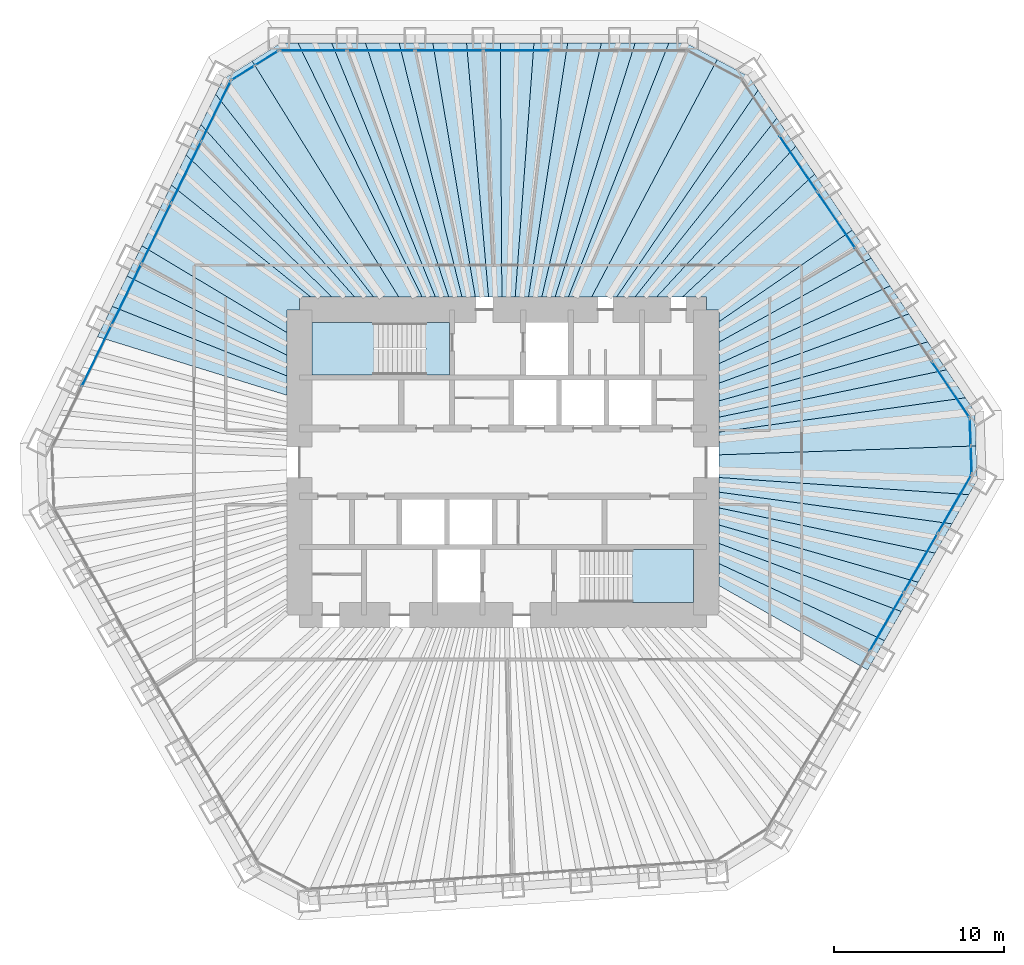
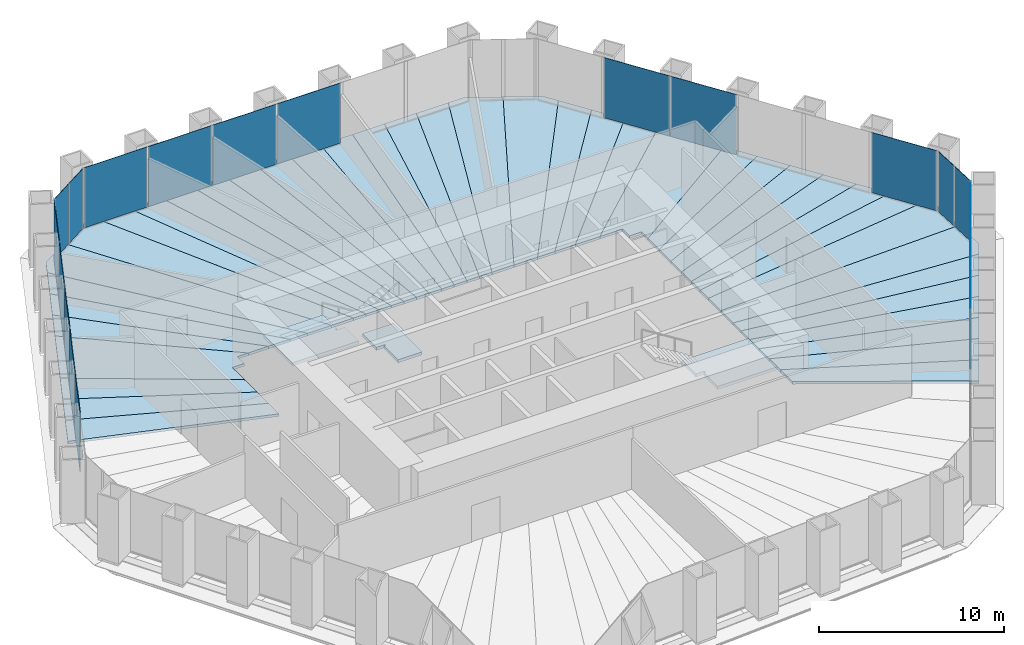
# One storey, part 9 of 13: 43 slabs, 19 plates, 8 elements without a shape of their own.
"""IFC4 building model written with IfcOpenShell, lengths in metres."""

from ifc_helpers import new_model, si_unit, direction, frame, origin, origin_2d, place, context, subcontext, project, spatial, polyline, rectangle, outline, extrude, material, layer, layer_set, type_object, element, aggregate, save


model = new_model("IFC4")

# Units and contexts
model_context = context("Model", 3, precision=1e-05, world=origin(), true_north=direction((0.0, 1.0)))
body_context = subcontext(model_context, "Body", "Model", "MODEL_VIEW")
ifc_project = project(units=[si_unit("LENGTHUNIT", "METRE"), si_unit("AREAUNIT", "SQUARE_METRE"), si_unit("VOLUMEUNIT", "CUBIC_METRE"), si_unit("PLANEANGLEUNIT", "RADIAN"), si_unit("MASSUNIT", "GRAM", prefix="KILO")], contexts=[model_context])

# Site, building, storey
site_placement = place(None, origin())
site = spatial("IfcSite", under=ifc_project, at=site_placement, CompositionType="ELEMENT")
building_placement = place(site_placement, origin())
building = spatial("IfcBuilding", under=site, at=building_placement, Name="Qingtian Harvest Tower", CompositionType="ELEMENT")
storey_placement = place(building_placement, frame((0.0, 0.0, 140.800048828125)))
storey = spatial("IfcBuildingStorey", under=building, at=storey_placement, Name="L29", CompositionType="ELEMENT", Elevation=140.800048828125)

# Slabs
ifc_material_1 = material(Name="Concrete fc' 35 MPa", Category="concrete")
ifc_layer_1 = layer(ifc_material_1, 0.169921875)
ifc_layer_set_1 = layer_set([ifc_layer_1], Name="Composite floor slab FS17 170")
slab_type_1 = type_object("IfcSlabType", Name="Composite floor slab FS17 170", PredefinedType="FLOOR", material=ifc_layer_set_1)
slab_1_placement = place(storey_placement, frame((0.0, 0.0, -0.170166015625)))
element("IfcSlab", 1, at=slab_1_placement, inside=storey, type_object=slab_type_1, Name="Floor slab L29 panel D33", PredefinedType="FLOOR", context=body_context, shape_type="SweptSolid", body=[
    extrude(outline(polyline([(12.75, -5.97021484375), (22.51220703125, -10.517578125), (21.517333984375, -12.24072265625), (12.75, -7.268798828125), (12.75, -5.97021484375)])), origin(), (0.0, 0.0, 1.0), 0.170166015625),
])
slab_2_placement = place(storey_placement, frame((0.0, 0.0, -0.170166015625)))
element("IfcSlab", 2, at=slab_2_placement, inside=storey, type_object=slab_type_1, Name="Floor slab L29 panel D34", PredefinedType="FLOOR", context=body_context, shape_type="SweptSolid", body=[
    extrude(outline(polyline([(12.75, -4.78173828125), (23.50732421875, -8.794189453125), (22.51220703125, -10.517578125), (12.75, -5.97021484375), (12.75, -4.78173828125)])), origin(), (0.0, 0.0, 1.0), 0.170166015625),
])
slab_3_placement = place(storey_placement, frame((0.0, 0.0, -0.170166015625)))
element("IfcSlab", 3, at=slab_3_placement, inside=storey, type_object=slab_type_1, Name="Floor slab L29 panel D35", PredefinedType="FLOOR", context=body_context, shape_type="SweptSolid", body=[
    extrude(outline(polyline([(12.75, -3.68994140625), (24.502197265625, -7.071044921875), (23.50732421875, -8.794189453125), (12.75, -4.78173828125), (12.75, -3.68994140625)])), origin(), (0.0, 0.0, 1.0), 0.170166015625),
])
slab_4_placement = place(storey_placement, frame((0.0, 0.0, -0.170166015625)))
element("IfcSlab", 4, at=slab_4_placement, inside=storey, type_object=slab_type_1, Name="Floor slab L29 panel D36", PredefinedType="FLOOR", context=body_context, shape_type="SweptSolid", body=[
    extrude(outline(polyline([(12.75, -2.683349609375), (25.4970703125, -5.34765625), (24.502197265625, -7.071044921875), (12.75, -3.68994140625), (12.75, -2.683349609375)])), origin(), (0.0, 0.0, 1.0), 0.170166015625),
])
slab_5_placement = place(storey_placement, frame((0.0, 0.0, -0.170166015625)))
element("IfcSlab", 5, at=slab_5_placement, inside=storey, type_object=slab_type_1, Name="Floor slab L29 panel D37", PredefinedType="FLOOR", context=body_context, shape_type="SweptSolid", body=[
    extrude(outline(polyline([(12.75, -1.752685546875), (26.4921875, -3.624267578125), (25.4970703125, -5.34765625), (12.75, -2.683349609375), (12.75, -1.752685546875)])), origin(), (0.0, 0.0, 1.0), 0.170166015625),
])
slab_6_placement = place(storey_placement, frame((0.0, 0.0, -0.170166015625)))
element("IfcSlab", 6, at=slab_6_placement, inside=storey, type_object=slab_type_1, Name="Floor slab L29 panel D38", PredefinedType="FLOOR", context=body_context, shape_type="SweptSolid", body=[
    extrude(outline(polyline([(12.75, -0.889404296875), (27.487060546875, -1.901123046875), (26.4921875, -3.624267578125), (12.75, -1.752685546875), (12.75, -0.889404296875)])), origin(), (0.0, 0.0, 1.0), 0.170166015625),
])
slab_7_placement = place(storey_placement, frame((0.0, 0.0, -0.170166015625)))
element("IfcSlab", 7, at=slab_7_placement, inside=storey, type_object=slab_type_1, Name="Floor slab L29 panel D39", PredefinedType="FLOOR", context=body_context, shape_type="SweptSolid", body=[
    extrude(outline(polyline([(12.75, -0.889404296875), (12.75, 0.447509765625), (27.90185546875, 0.974365234375), (27.972900390625, -1.059814453125), (27.487060546875, -1.901123046875), (12.75, -0.889404296875)])), origin(), (0.0, 0.0, 1.0), 0.170166015625),
])
slab_8_placement = place(storey_placement, frame((0.0, 0.0, -0.170166015625)))
element("IfcSlab", 8, at=slab_8_placement, inside=storey, type_object=slab_type_1, Name="Floor slab L29 panel D40", PredefinedType="FLOOR", context=body_context, shape_type="SweptSolid", body=[
    extrude(outline(polyline([(12.75, 0.447509765625), (12.75, 1.79052734375), (27.287353515625, 3.81396484375), (27.830810546875, 3.008544921875), (27.90185546875, 0.974365234375), (12.75, 0.447509765625)])), origin(), (0.0, 0.0, 1.0), 0.170166015625),
])
slab_9_placement = place(storey_placement, frame((0.0, 0.0, -0.170166015625)))
element("IfcSlab", 9, at=slab_9_placement, inside=storey, type_object=slab_type_1, Name="Floor slab L29 panel D41", PredefinedType="FLOOR", context=body_context, shape_type="SweptSolid", body=[
    extrude(outline(polyline([(12.75, 2.671142578125), (26.1748046875, 5.463623046875), (27.287353515625, 3.81396484375), (12.75, 1.79052734375), (12.75, 2.671142578125)])), origin(), (0.0, 0.0, 1.0), 0.170166015625),
])
slab_10_placement = place(storey_placement, frame((0.0, 0.0, -0.170166015625)))
element("IfcSlab", 10, at=slab_10_placement, inside=storey, type_object=slab_type_1, Name="Floor slab L29 panel D42", PredefinedType="FLOOR", context=body_context, shape_type="SweptSolid", body=[
    extrude(outline(polyline([(12.75, 3.6298828125), (25.06201171875, 7.11328125), (26.1748046875, 5.463623046875), (12.75, 2.671142578125), (12.75, 3.6298828125)])), origin(), (0.0, 0.0, 1.0), 0.170166015625),
])
slab_11_placement = place(storey_placement, frame((0.0, 0.0, -0.170166015625)))
element("IfcSlab", 11, at=slab_11_placement, inside=storey, type_object=slab_type_1, Name="Floor slab L29 panel D43", PredefinedType="FLOOR", context=body_context, shape_type="SweptSolid", body=[
    extrude(outline(polyline([(12.75, 4.677734375), (23.94921875, 8.762939453125), (25.06201171875, 7.11328125), (12.75, 3.6298828125), (12.75, 4.677734375)])), origin(), (0.0, 0.0, 1.0), 0.170166015625),
])
slab_12_placement = place(storey_placement, frame((0.0, 0.0, -0.170166015625)))
element("IfcSlab", 12, at=slab_12_placement, inside=storey, type_object=slab_type_1, Name="Floor slab L29 panel D44", PredefinedType="FLOOR", context=body_context, shape_type="SweptSolid", body=[
    extrude(outline(polyline([(12.75, 5.828125), (22.83642578125, 10.41259765625), (23.94921875, 8.762939453125), (12.75, 4.677734375), (12.75, 5.828125)])), origin(), (0.0, 0.0, 1.0), 0.170166015625),
])
slab_13_placement = place(storey_placement, frame((0.0, 0.0, -0.170166015625)))
element("IfcSlab", 13, at=slab_13_placement, inside=storey, type_object=slab_type_1, Name="Floor slab L29 panel D45", PredefinedType="FLOOR", context=body_context, shape_type="SweptSolid", body=[
    extrude(outline(polyline([(12.75, 7.096435546875), (21.723876953125, 12.062255859375), (22.83642578125, 10.41259765625), (12.75, 5.828125), (12.75, 7.096435546875)])), origin(), (0.0, 0.0, 1.0), 0.170166015625),
])
slab_14_placement = place(storey_placement, frame((0.0, 0.0, -0.170166015625)))
element("IfcSlab", 14, at=slab_14_placement, inside=storey, type_object=slab_type_1, Name="Floor slab L29 panel D46", PredefinedType="FLOOR", context=body_context, shape_type="SweptSolid", body=[
    extrude(outline(polyline([(12.75, 8.30615234375), (20.61328125, 13.708740234375), (21.723876953125, 12.062255859375), (12.75, 7.096435546875), (12.75, 8.30615234375)])), origin(), (0.0, 0.0, 1.0), 0.170166015625),
])
slab_15_placement = place(storey_placement, frame((0.0, 0.0, -0.170166015625)))
element("IfcSlab", 15, at=slab_15_placement, inside=storey, type_object=slab_type_1, Name="Floor slab L29 panel D48", PredefinedType="FLOOR", context=body_context, shape_type="SweptSolid", body=[
    extrude(outline(polyline([(18.38623046875, 17.010498046875), (20.61328125, 13.708740234375), (12.75, 8.30615234375), (12.75, 9.0), (12.0, 9.0), (12.0, 9.75), (10.578369140625, 9.75), (18.38623046875, 17.010498046875)])), origin(), (0.0, 0.0, 1.0), 0.170166015625),
])
slab_16_placement = place(storey_placement, frame((0.0, 0.0, -0.170166015625)))
element("IfcSlab", 16, at=slab_16_placement, inside=storey, type_object=slab_type_1, Name="Floor slab L29 panel D49", PredefinedType="FLOOR", context=body_context, shape_type="SweptSolid", body=[
    extrude(outline(polyline([(9.0556640625, 9.75), (17.2734375, 18.66015625), (18.38623046875, 17.010498046875), (10.578369140625, 9.75), (9.0556640625, 9.75)])), origin(), (0.0, 0.0, 1.0), 0.170166015625),
])
slab_17_placement = place(storey_placement, frame((0.0, 0.0, -0.170166015625)))
element("IfcSlab", 17, at=slab_17_placement, inside=storey, type_object=slab_type_1, Name="Floor slab L29 panel D50", PredefinedType="FLOOR", context=body_context, shape_type="SweptSolid", body=[
    extrude(outline(polyline([(7.781494140625, 9.75), (16.16064453125, 20.31005859375), (17.2734375, 18.66015625), (9.0556640625, 9.75), (7.781494140625, 9.75)])), origin(), (0.0, 0.0, 1.0), 0.170166015625),
])
slab_18_placement = place(storey_placement, frame((0.0, 0.0, -0.170166015625)))
element("IfcSlab", 18, at=slab_18_placement, inside=storey, type_object=slab_type_1, Name="Floor slab L29 panel D51", PredefinedType="FLOOR", context=body_context, shape_type="SweptSolid", body=[
    extrude(outline(polyline([(6.69970703125, 9.75), (15.0478515625, 21.959716796875), (16.16064453125, 20.31005859375), (7.781494140625, 9.75), (6.69970703125, 9.75)])), origin(), (0.0, 0.0, 1.0), 0.170166015625),
])
slab_19_placement = place(storey_placement, frame((0.0, 0.0, -0.170166015625)))
element("IfcSlab", 19, at=slab_19_placement, inside=storey, type_object=slab_type_1, Name="Floor slab L29 panel D52", PredefinedType="FLOOR", context=body_context, shape_type="SweptSolid", body=[
    extrude(outline(polyline([(6.69970703125, 9.75), (5.224609375, 9.75), (12.634033203125, 23.759765625), (14.504638671875, 22.765380859375), (15.0478515625, 21.959716796875), (6.69970703125, 9.75)])), origin(), (0.0, 0.0, 1.0), 0.170166015625),
])
slab_20_placement = place(storey_placement, frame((0.0, 0.0, -0.170166015625)))
element("IfcSlab", 20, at=slab_20_placement, inside=storey, type_object=slab_type_1, Name="Floor slab L29 panel D53", PredefinedType="FLOOR", context=body_context, shape_type="SweptSolid", body=[
    extrude(outline(polyline([(3.856201171875, 9.75), (9.791015625, 24.7548828125), (10.762451171875, 24.7548828125), (12.634033203125, 23.759765625), (5.224609375, 9.75), (3.856201171875, 9.75)])), origin(), (0.0, 0.0, 1.0), 0.170166015625),
])
slab_21_placement = place(storey_placement, frame((0.0, 0.0, -0.170166015625)))
element("IfcSlab", 21, at=slab_21_placement, inside=storey, type_object=slab_type_1, Name="Floor slab L29 panel D54", PredefinedType="FLOOR", context=body_context, shape_type="SweptSolid", body=[
    extrude(outline(polyline([(3.072509765625, 9.75), (7.80126953125, 24.7548828125), (9.791015625, 24.7548828125), (3.856201171875, 9.75), (3.072509765625, 9.75)])), origin(), (0.0, 0.0, 1.0), 0.170166015625),
])
slab_22_placement = place(storey_placement, frame((0.0, 0.0, -0.170166015625)))
element("IfcSlab", 22, at=slab_22_placement, inside=storey, type_object=slab_type_1, Name="Floor slab L29 panel D55", PredefinedType="FLOOR", context=body_context, shape_type="SweptSolid", body=[
    extrude(outline(polyline([(2.288818359375, 9.75), (5.811279296875, 24.7548828125), (7.80126953125, 24.7548828125), (3.072509765625, 9.75), (2.288818359375, 9.75)])), origin(), (0.0, 0.0, 1.0), 0.170166015625),
])
slab_23_placement = place(storey_placement, frame((0.0, 0.0, -0.170166015625)))
element("IfcSlab", 23, at=slab_23_placement, inside=storey, type_object=slab_type_1, Name="Floor slab L29 panel D56", PredefinedType="FLOOR", context=body_context, shape_type="SweptSolid", body=[
    extrude(outline(polyline([(1.505126953125, 9.75), (3.821533203125, 24.7548828125), (5.811279296875, 24.7548828125), (2.288818359375, 9.75), (1.505126953125, 9.75)])), origin(), (0.0, 0.0, 1.0), 0.170166015625),
])
slab_24_placement = place(storey_placement, frame((0.0, 0.0, -0.170166015625)))
element("IfcSlab", 24, at=slab_24_placement, inside=storey, type_object=slab_type_1, Name="Floor slab L29 panel D57", PredefinedType="FLOOR", context=body_context, shape_type="SweptSolid", body=[
    extrude(outline(polyline([(0.721435546875, 9.75), (1.831787109375, 24.7548828125), (3.821533203125, 24.7548828125), (1.505126953125, 9.75), (0.721435546875, 9.75)])), origin(), (0.0, 0.0, 1.0), 0.170166015625),
])
slab_25_placement = place(storey_placement, frame((0.0, 0.0, -0.170166015625)))
element("IfcSlab", 25, at=slab_25_placement, inside=storey, type_object=slab_type_1, Name="Floor slab L29 panel D58", PredefinedType="FLOOR", context=body_context, shape_type="SweptSolid", body=[
    extrude(outline(polyline([(-0.062255859375, 9.75), (-0.158203125, 24.7548828125), (1.831787109375, 24.7548828125), (0.721435546875, 9.75), (-0.062255859375, 9.75)])), origin(), (0.0, 0.0, 1.0), 0.170166015625),
])
slab_26_placement = place(storey_placement, frame((0.0, 0.0, -0.170166015625)))
element("IfcSlab", 26, at=slab_26_placement, inside=storey, type_object=slab_type_1, Name="Floor slab L29 panel D59", PredefinedType="FLOOR", context=body_context, shape_type="SweptSolid", body=[
    extrude(outline(polyline([(-0.845947265625, 9.75), (-2.14794921875, 24.7548828125), (-0.158203125, 24.7548828125), (-0.062255859375, 9.75), (-0.845947265625, 9.75)])), origin(), (0.0, 0.0, 1.0), 0.170166015625),
])
slab_27_placement = place(storey_placement, frame((0.0, 0.0, -0.170166015625)))
element("IfcSlab", 27, at=slab_27_placement, inside=storey, type_object=slab_type_1, Name="Floor slab L29 panel D60", PredefinedType="FLOOR", context=body_context, shape_type="SweptSolid", body=[
    extrude(outline(polyline([(-1.629638671875, 9.75), (-4.137939453125, 24.7548828125), (-2.14794921875, 24.7548828125), (-0.845947265625, 9.75), (-1.629638671875, 9.75)])), origin(), (0.0, 0.0, 1.0), 0.170166015625),
])
slab_28_placement = place(storey_placement, frame((0.0, 0.0, -0.170166015625)))
element("IfcSlab", 28, at=slab_28_placement, inside=storey, type_object=slab_type_1, Name="Floor slab L29 panel D61", PredefinedType="FLOOR", context=body_context, shape_type="SweptSolid", body=[
    extrude(outline(polyline([(-2.41357421875, 9.75), (-6.127685546875, 24.7548828125), (-4.137939453125, 24.7548828125), (-1.629638671875, 9.75), (-2.41357421875, 9.75)])), origin(), (0.0, 0.0, 1.0), 0.170166015625),
])
slab_29_placement = place(storey_placement, frame((0.0, 0.0, -0.170166015625)))
element("IfcSlab", 29, at=slab_29_placement, inside=storey, type_object=slab_type_1, Name="Floor slab L29 panel D62", PredefinedType="FLOOR", context=body_context, shape_type="SweptSolid", body=[
    extrude(outline(polyline([(-3.197265625, 9.75), (-8.117431640625, 24.7548828125), (-6.127685546875, 24.7548828125), (-2.41357421875, 9.75), (-3.197265625, 9.75)])), origin(), (0.0, 0.0, 1.0), 0.170166015625),
])
slab_30_placement = place(storey_placement, frame((0.0, 0.0, -0.170166015625)))
element("IfcSlab", 30, at=slab_30_placement, inside=storey, type_object=slab_type_1, Name="Floor slab L29 panel D63", PredefinedType="FLOOR", context=body_context, shape_type="SweptSolid", body=[
    extrude(outline(polyline([(-3.98095703125, 9.75), (-10.107421875, 24.7548828125), (-8.117431640625, 24.7548828125), (-3.197265625, 9.75), (-3.98095703125, 9.75)])), origin(), (0.0, 0.0, 1.0), 0.170166015625),
])
slab_31_placement = place(storey_placement, frame((0.0, 0.0, -0.170166015625)))
element("IfcSlab", 31, at=slab_31_placement, inside=storey, type_object=slab_type_1, Name="Floor slab L29 panel D64", PredefinedType="FLOOR", context=body_context, shape_type="SweptSolid", body=[
    extrude(outline(polyline([(-4.7646484375, 9.75), (-12.09716796875, 24.7548828125), (-10.107421875, 24.7548828125), (-3.98095703125, 9.75), (-4.7646484375, 9.75)])), origin(), (0.0, 0.0, 1.0), 0.170166015625),
])
slab_32_placement = place(storey_placement, frame((0.0, 0.0, -0.170166015625)))
element("IfcSlab", 32, at=slab_32_placement, inside=storey, type_object=slab_type_1, Name="Floor slab L29 panel D65", PredefinedType="FLOOR", context=body_context, shape_type="SweptSolid", body=[
    extrude(outline(polyline([(-4.7646484375, 9.75), (-6.13671875, 9.75), (-14.795166015625, 23.676025390625), (-13.068603515625, 24.7548828125), (-12.09716796875, 24.7548828125), (-4.7646484375, 9.75)])), origin(), (0.0, 0.0, 1.0), 0.170166015625),
])
slab_33_placement = place(storey_placement, frame((0.0, 0.0, -0.170166015625)))
element("IfcSlab", 33, at=slab_33_placement, inside=storey, type_object=slab_type_1, Name="Floor slab L29 panel D66", PredefinedType="FLOOR", context=body_context, shape_type="SweptSolid", body=[
    extrude(outline(polyline([(-6.13671875, 9.75), (-7.62646484375, 9.75), (-16.94677734375, 21.724609375), (-16.520751953125, 22.597900390625), (-14.795166015625, 23.676025390625), (-6.13671875, 9.75)])), origin(), (0.0, 0.0, 1.0), 0.170166015625),
])
slab_34_placement = place(storey_placement, frame((0.0, 0.0, -0.170166015625)))
element("IfcSlab", 34, at=slab_34_placement, inside=storey, type_object=slab_type_1, Name="Floor slab L29 panel D67", PredefinedType="FLOOR", context=body_context, shape_type="SweptSolid", body=[
    extrude(outline(polyline([(-8.74169921875, 9.75), (-17.819091796875, 19.93603515625), (-16.94677734375, 21.724609375), (-7.62646484375, 9.75), (-8.74169921875, 9.75)])), origin(), (0.0, 0.0, 1.0), 0.170166015625),
])
slab_35_placement = place(storey_placement, frame((0.0, 0.0, -0.170166015625)))
element("IfcSlab", 35, at=slab_35_placement, inside=storey, type_object=slab_type_1, Name="Floor slab L29 panel D68", PredefinedType="FLOOR", context=body_context, shape_type="SweptSolid", body=[
    extrude(outline(polyline([(-10.077880859375, 9.75), (-18.69140625, 18.1474609375), (-17.819091796875, 19.93603515625), (-8.74169921875, 9.75), (-10.077880859375, 9.75)])), origin(), (0.0, 0.0, 1.0), 0.170166015625),
])
slab_36_placement = place(storey_placement, frame((0.0, 0.0, -0.170166015625)))
element("IfcSlab", 36, at=slab_36_placement, inside=storey, type_object=slab_type_1, Name="Floor slab L29 panel D69", PredefinedType="FLOOR", context=body_context, shape_type="SweptSolid", body=[
    extrude(outline(polyline([(-11.329345703125, 9.75), (-19.561279296875, 16.364013671875), (-18.69140625, 18.1474609375), (-10.077880859375, 9.75), (-11.329345703125, 9.75)])), origin(), (0.0, 0.0, 1.0), 0.170166015625),
])
slab_37_placement = place(storey_placement, frame((0.0, 0.0, -0.170166015625)))
element("IfcSlab", 37, at=slab_37_placement, inside=storey, type_object=slab_type_1, Name="Floor slab L29 panel D70", PredefinedType="FLOOR", context=body_context, shape_type="SweptSolid", body=[
    extrude(outline(polyline([(-12.0, 9.0), (-12.75, 9.0), (-12.75, 7.662841796875), (-21.307861328125, 12.78271484375), (-19.561279296875, 16.364013671875), (-11.329345703125, 9.75), (-12.0, 9.75), (-12.0, 9.0)])), origin(), (0.0, 0.0, 1.0), 0.170166015625),
])
slab_38_placement = place(storey_placement, frame((0.0, 0.0, -0.170166015625)))
element("IfcSlab", 38, at=slab_38_placement, inside=storey, type_object=slab_type_1, Name="Floor slab L29 panel D72", PredefinedType="FLOOR", context=body_context, shape_type="SweptSolid", body=[
    extrude(outline(polyline([(-12.75, 6.332275390625), (-22.18017578125, 10.994384765625), (-21.307861328125, 12.78271484375), (-12.75, 7.662841796875), (-12.75, 6.332275390625)])), origin(), (0.0, 0.0, 1.0), 0.170166015625),
])
slab_39_placement = place(storey_placement, frame((0.0, 0.0, -0.170166015625)))
element("IfcSlab", 39, at=slab_39_placement, inside=storey, type_object=slab_type_1, Name="Floor slab L29 panel D73", PredefinedType="FLOOR", context=body_context, shape_type="SweptSolid", body=[
    extrude(outline(polyline([(-12.75, 5.1025390625), (-23.052490234375, 9.205810546875), (-22.18017578125, 10.994384765625), (-12.75, 6.332275390625), (-12.75, 5.1025390625)])), origin(), (0.0, 0.0, 1.0), 0.170166015625),
])
slab_40_placement = place(storey_placement, frame((0.0, 0.0, -0.170166015625)))
element("IfcSlab", 40, at=slab_40_placement, inside=storey, type_object=slab_type_1, Name="Floor slab L29 panel D74", PredefinedType="FLOOR", context=body_context, shape_type="SweptSolid", body=[
    extrude(outline(polyline([(-12.75, 3.962646484375), (-23.9248046875, 7.417236328125), (-23.052490234375, 9.205810546875), (-12.75, 5.1025390625), (-12.75, 3.962646484375)])), origin(), (0.0, 0.0, 1.0), 0.170166015625),
])

# Curtain wall, plates
ifc_material_2 = material(Name="Bronze-anodised aluminium curtain wall", Category="aluminium")
curtain_wall_type = type_object("IfcCurtainWallType", Name="Curtain wall CW4 office", PredefinedType="USERDEFINED", material=ifc_material_2)
curtain_wall_1_placement = place(storey_placement, origin())
curtain_wall_1 = element("IfcCurtainWall", 41, at=curtain_wall_1_placement, inside=storey, type_object=curtain_wall_type, Name="Curtain wall CW4 L29 N0-5", ObjectType="RECESSED CURTAIN WALL", PredefinedType="USERDEFINED")
ifc_material_3 = material(Name="Bronze-tinted laminated insulating glass", Category="glass")
ifc_layer_2 = layer(ifc_material_3, 0.030029296875)
ifc_layer_set_2 = layer_set([ifc_layer_2], Name="Glazed panel CWP tinted IGU")
plate_type = type_object("IfcPlateType", Name="Glazed panel CWP tinted IGU", PredefinedType="CURTAIN_PANEL", material=ifc_layer_set_2)
plate_1_placement = place(storey_placement, frame((-11.196044921875, 24.300048828125, 0.06494140625), z_axis=(0.0, 0.0, 1.0), x_axis=(1.0, 0.0, 0.0)))
plate_1 = element("IfcPlate", 42, at=plate_1_placement, type_object=plate_type, Name="CW4 panel 1.1", PredefinedType="CURTAIN_PANEL", context=body_context, shape_type="SweptSolid", body=[
    extrude(rectangle(XDim=3.921630859375, YDim=0.030029296875, at=origin_2d()), origin(), (0.0, 0.0, 1.0), 3.965087890625),
])
plate_2_placement = place(storey_placement, frame((-7.193115234375, 24.300048828125, 0.06494140625), z_axis=(0.0, 0.0, 1.0), x_axis=(1.0, 0.0, 0.0)))
plate_2 = element("IfcPlate", 43, at=plate_2_placement, type_object=plate_type, Name="CW4 panel 2.1", PredefinedType="CURTAIN_PANEL", context=body_context, shape_type="SweptSolid", body=[
    extrude(rectangle(XDim=3.9541015625, YDim=0.030029296875, at=origin_2d()), origin(), (0.0, 0.0, 1.0), 3.965087890625),
])
plate_3_placement = place(storey_placement, frame((-3.174072265625, 24.300048828125, 0.06494140625), z_axis=(0.0, 0.0, 1.0), x_axis=(1.0, 0.0, 0.0)))
plate_3 = element("IfcPlate", 44, at=plate_3_placement, type_object=plate_type, Name="CW4 panel 3.1", PredefinedType="CURTAIN_PANEL", context=body_context, shape_type="SweptSolid", body=[
    extrude(rectangle(XDim=3.9541015625, YDim=0.030029296875, at=origin_2d()), origin(), (0.0, 0.0, 1.0), 3.965087890625),
])
plate_4_placement = place(storey_placement, frame((0.844970703125, 24.300048828125, 0.06494140625), z_axis=(0.0, 0.0, 1.0), x_axis=(1.0, 0.0, 0.0)))
plate_4 = element("IfcPlate", 45, at=plate_4_placement, type_object=plate_type, Name="CW4 panel 4.1", PredefinedType="CURTAIN_PANEL", context=body_context, shape_type="SweptSolid", body=[
    extrude(rectangle(XDim=3.9541015625, YDim=0.030029296875, at=origin_2d()), origin(), (0.0, 0.0, 1.0), 3.965087890625),
])
aggregate(curtain_wall_1, [plate_1, plate_2, plate_3, plate_4])

curtain_wall_2_placement = place(storey_placement, origin())
curtain_wall_2 = element("IfcCurtainWall", 46, at=curtain_wall_2_placement, inside=storey, type_object=curtain_wall_type, Name="Curtain wall CW4 L29 NE0-5", ObjectType="RECESSED CURTAIN WALL", PredefinedType="USERDEFINED")
plate_5_placement = place(storey_placement, frame((17.425537109375, 17.620849609375, 0.06494140625), z_axis=(0.0, 0.0, 1.0), x_axis=(0.559192903471, -0.829037572555, 0.0)))
plate_5 = element("IfcPlate", 47, at=plate_5_placement, type_object=plate_type, Name="CW4 panel 2.1", PredefinedType="CURTAIN_PANEL", context=body_context, shape_type="SweptSolid", body=[
    extrude(rectangle(XDim=3.9541015625, YDim=0.030029296875, at=origin_2d()), origin(), (0.0, 0.0, 1.0), 3.965087890625),
])
plate_6_placement = place(storey_placement, frame((19.673095703125, 14.2890625, 0.06494140625), z_axis=(0.0, 0.0, 1.0), x_axis=(0.559192903471, -0.829037572555, 0.0)))
plate_6 = element("IfcPlate", 48, at=plate_6_placement, type_object=plate_type, Name="CW4 panel 3.1", PredefinedType="CURTAIN_PANEL", context=body_context, shape_type="SweptSolid", body=[
    extrude(rectangle(XDim=3.9541015625, YDim=0.030029296875, at=origin_2d()), origin(), (0.0, 0.0, 1.0), 3.965087890625),
])
plate_7_placement = place(storey_placement, frame((26.40625, 4.306640625, 0.06494140625), z_axis=(0.0, 0.0, 1.0), x_axis=(0.559192903471, -0.829037572555, 0.0)))
plate_7 = element("IfcPlate", 49, at=plate_7_placement, type_object=plate_type, Name="CW4 panel 6.1", PredefinedType="CURTAIN_PANEL", context=body_context, shape_type="SweptSolid", body=[
    extrude(rectangle(XDim=3.921630859375, YDim=0.030029296875, at=origin_2d()), origin(), (0.0, 0.0, 1.0), 3.965087890625),
])
aggregate(curtain_wall_2, [plate_5, plate_6, plate_7])

curtain_wall_3_placement = place(storey_placement, origin())
curtain_wall_3 = element("IfcCurtainWall", 50, at=curtain_wall_3_placement, inside=storey, type_object=curtain_wall_type, Name="Curtain wall CW4 L29 NEC", ObjectType="RECESSED CURTAIN WALL", PredefinedType="USERDEFINED")
plate_8_placement = place(storey_placement, frame((27.568603515625, 1.779052734375, 0.06494140625), z_axis=(0.0, 0.0, 1.0), x_axis=(0.034899496703, -0.999390827019, 0.0)))
plate_8 = element("IfcPlate", 51, at=plate_8_placement, type_object=plate_type, Name="CW4 panel 1.1", PredefinedType="CURTAIN_PANEL", context=body_context, shape_type="SweptSolid", body=[
    extrude(rectangle(XDim=1.56689453125, YDim=0.030029296875, at=origin_2d()), origin(), (0.0, 0.0, 1.0), 3.965087890625),
])
plate_9_placement = place(storey_placement, frame((27.625732421875, 0.148193359375, 0.06494140625), z_axis=(0.0, 0.0, 1.0), x_axis=(0.034899496703, -0.999390827019, 0.0)))
plate_9 = element("IfcPlate", 52, at=plate_9_placement, type_object=plate_type, Name="CW4 panel 2.1", PredefinedType="CURTAIN_PANEL", context=body_context, shape_type="SweptSolid", body=[
    extrude(rectangle(XDim=1.56689453125, YDim=0.030029296875, at=origin_2d()), origin(), (0.0, 0.0, 1.0), 3.965087890625),
])
aggregate(curtain_wall_3, [plate_8, plate_9])

curtain_wall_4_placement = place(storey_placement, origin())
curtain_wall_4 = element("IfcCurtainWall", 53, at=curtain_wall_4_placement, inside=storey, type_object=curtain_wall_type, Name="Curtain wall CW4 L29 SE0-5", ObjectType="RECESSED CURTAIN WALL", PredefinedType="USERDEFINED")
plate_10_placement = place(storey_placement, frame((26.642333984375, -2.4541015625, 0.06494140625), z_axis=(0.0, 0.0, 1.0), x_axis=(-0.5, -0.866025403784, 0.0)))
plate_10 = element("IfcPlate", 54, at=plate_10_placement, type_object=plate_type, Name="CW4 panel 1.1", PredefinedType="CURTAIN_PANEL", context=body_context, shape_type="SweptSolid", body=[
    extrude(rectangle(XDim=3.921630859375, YDim=0.030029296875, at=origin_2d()), origin(), (0.0, 0.0, 1.0), 3.965087890625),
])
plate_11_placement = place(storey_placement, frame((24.640869140625, -5.920654296875, 0.06494140625), z_axis=(0.0, 0.0, 1.0), x_axis=(-0.5, -0.866025403784, 0.0)))
plate_11 = element("IfcPlate", 55, at=plate_11_placement, type_object=plate_type, Name="CW4 panel 2.1", PredefinedType="CURTAIN_PANEL", context=body_context, shape_type="SweptSolid", body=[
    extrude(rectangle(XDim=3.9541015625, YDim=0.030029296875, at=origin_2d()), origin(), (0.0, 0.0, 1.0), 3.965087890625),
])
plate_12_placement = place(storey_placement, frame((22.63134765625, -9.401123046875, 0.06494140625), z_axis=(0.0, 0.0, 1.0), x_axis=(-0.5, -0.866025403784, 0.0)))
plate_12 = element("IfcPlate", 56, at=plate_12_placement, type_object=plate_type, Name="CW4 panel 3.1", PredefinedType="CURTAIN_PANEL", context=body_context, shape_type="SweptSolid", body=[
    extrude(rectangle(XDim=3.9541015625, YDim=0.030029296875, at=origin_2d()), origin(), (0.0, 0.0, 1.0), 3.965087890625),
])
aggregate(curtain_wall_4, [plate_10, plate_11, plate_12])

curtain_wall_5_placement = place(storey_placement, origin())
curtain_wall_5 = element("IfcCurtainWall", 57, at=curtain_wall_5_placement, inside=storey, type_object=curtain_wall_type, Name="Curtain wall CW4 L29 NW0-5", ObjectType="RECESSED CURTAIN WALL", PredefinedType="USERDEFINED")
plate_13_placement = place(storey_placement, frame((-23.972900390625, 6.280517578125, 0.06494140625), z_axis=(0.0, 0.0, 1.0), x_axis=(0.438371146789, 0.898794046299, 0.0)))
plate_13 = element("IfcPlate", 58, at=plate_13_placement, type_object=plate_type, Name="CW4 panel 2.1", PredefinedType="CURTAIN_PANEL", context=body_context, shape_type="SweptSolid", body=[
    extrude(rectangle(XDim=3.9541015625, YDim=0.030029296875, at=origin_2d()), origin(), (0.0, 0.0, 1.0), 3.965087890625),
])
plate_14_placement = place(storey_placement, frame((-22.211181640625, 9.892822265625, 0.06494140625), z_axis=(0.0, 0.0, 1.0), x_axis=(0.438371146789, 0.898794046299, 0.0)))
plate_14 = element("IfcPlate", 59, at=plate_14_placement, type_object=plate_type, Name="CW4 panel 3.1", PredefinedType="CURTAIN_PANEL", context=body_context, shape_type="SweptSolid", body=[
    extrude(rectangle(XDim=3.9541015625, YDim=0.030029296875, at=origin_2d()), origin(), (0.0, 0.0, 1.0), 3.965087890625),
])
plate_15_placement = place(storey_placement, frame((-20.44921875, 13.505126953125, 0.06494140625), z_axis=(0.0, 0.0, 1.0), x_axis=(0.438371146789, 0.898794046299, 0.0)))
plate_15 = element("IfcPlate", 60, at=plate_15_placement, type_object=plate_type, Name="CW4 panel 4.1", PredefinedType="CURTAIN_PANEL", context=body_context, shape_type="SweptSolid", body=[
    extrude(rectangle(XDim=3.9541015625, YDim=0.030029296875, at=origin_2d()), origin(), (0.0, 0.0, 1.0), 3.965087890625),
])
plate_16_placement = place(storey_placement, frame((-18.6875, 17.117431640625, 0.06494140625), z_axis=(0.0, 0.0, 1.0), x_axis=(0.438371146789, 0.898794046299, 0.0)))
plate_16 = element("IfcPlate", 61, at=plate_16_placement, type_object=plate_type, Name="CW4 panel 5.1", PredefinedType="CURTAIN_PANEL", context=body_context, shape_type="SweptSolid", body=[
    extrude(rectangle(XDim=3.9541015625, YDim=0.030029296875, at=origin_2d()), origin(), (0.0, 0.0, 1.0), 3.965087890625),
])
plate_17_placement = place(storey_placement, frame((-16.9326171875, 20.71533203125, 0.06494140625), z_axis=(0.0, 0.0, 1.0), x_axis=(0.438371146789, 0.898794046299, 0.0)))
plate_17 = element("IfcPlate", 62, at=plate_17_placement, type_object=plate_type, Name="CW4 panel 6.1", PredefinedType="CURTAIN_PANEL", context=body_context, shape_type="SweptSolid", body=[
    extrude(rectangle(XDim=3.921630859375, YDim=0.030029296875, at=origin_2d()), origin(), (0.0, 0.0, 1.0), 3.965087890625),
])
aggregate(curtain_wall_5, [plate_13, plate_14, plate_15, plate_16, plate_17])

curtain_wall_6_placement = place(storey_placement, origin())
curtain_wall_6 = element("IfcCurtainWall", 63, at=curtain_wall_6_placement, inside=storey, type_object=curtain_wall_type, Name="Curtain wall CW4 L29 NWC", ObjectType="RECESSED CURTAIN WALL", PredefinedType="USERDEFINED")
plate_18_placement = place(storey_placement, frame((-15.3251953125, 22.985595703125, 0.06494140625), z_axis=(0.0, 0.0, 1.0), x_axis=(0.848048096156, 0.529919264233, 0.0)))
plate_18 = element("IfcPlate", 64, at=plate_18_placement, type_object=plate_type, Name="CW4 panel 1.1", PredefinedType="CURTAIN_PANEL", context=body_context, shape_type="SweptSolid", body=[
    extrude(rectangle(XDim=1.56689453125, YDim=0.030029296875, at=origin_2d()), origin(), (0.0, 0.0, 1.0), 3.965087890625),
])
plate_19_placement = place(storey_placement, frame((-13.941162109375, 23.850341796875, 0.06494140625), z_axis=(0.0, 0.0, 1.0), x_axis=(0.848048096156, 0.529919264233, 0.0)))
plate_19 = element("IfcPlate", 65, at=plate_19_placement, type_object=plate_type, Name="CW4 panel 2.1", PredefinedType="CURTAIN_PANEL", context=body_context, shape_type="SweptSolid", body=[
    extrude(rectangle(XDim=1.56689453125, YDim=0.030029296875, at=origin_2d()), origin(), (0.0, 0.0, 1.0), 3.965087890625),
])
aggregate(curtain_wall_6, [plate_18, plate_19])

# Stair, slabs
ifc_material_4 = material(Name="Concrete fc' 35 MPa", Category="concrete")
stair_type = type_object("IfcStairType", Name="Special stair ST3 4200", PredefinedType="HALF_TURN_STAIR", material=ifc_material_4)
stair_1_placement = place(storey_placement, origin())
stair_1 = element("IfcStair", 66, at=stair_1_placement, inside=storey, type_object=stair_type, Name="Special stair S1 L29", PredefinedType="HALF_TURN_STAIR")
ifc_material_5 = material(Name="Concrete fc' 35 MPa", Category="concrete")
ifc_layer_3 = layer(ifc_material_5, 0.199951171875)
ifc_layer_set_3 = layer_set([ifc_layer_3], Name="Stair landing SL2 200")
slab_type_2 = type_object("IfcSlabType", Name="Stair landing SL2 200", PredefinedType="LANDING", material=ifc_layer_set_3)
slab_41_placement = place(storey_placement, frame((0.0, 0.0, -0.199951171875)))
slab_41 = element("IfcSlab", 67, at=slab_41_placement, type_object=slab_type_2, Name="S1 landing 1", PredefinedType="LANDING", context=body_context, shape_type="SweptSolid", body=[
    extrude(outline(polyline([(-4.64990234375, 5.14990234375), (-4.64990234375, 6.64990234375), (-4.550048828125, 6.64990234375), (-4.550048828125, 6.75), (-5.0849609375, 6.75), (-5.0849609375, 8.25), (-3.14990234375, 8.25), (-3.14990234375, 5.14990234375), (-4.64990234375, 5.14990234375)])), origin(), (0.0, 0.0, 1.0), 0.199951171875),
])
slab_42_placement = place(storey_placement, frame((0.0, 0.0, 1.89990234375)))
slab_42 = element("IfcSlab", 68, at=slab_42_placement, type_object=slab_type_2, Name="S1 landing 2", PredefinedType="LANDING", context=body_context, shape_type="SweptSolid", body=[
    extrude(outline(polyline([(-7.094970703125, 5.14990234375), (-11.25, 5.14990234375), (-11.25, 8.25), (-7.530029296875, 8.25), (-7.530029296875, 6.75), (-7.6298828125, 6.75), (-7.6298828125, 6.64990234375), (-7.094970703125, 6.64990234375), (-7.094970703125, 5.14990234375)])), origin(), (0.0, 0.0, 1.0), 0.199951171875),
])
aggregate(stair_1, [slab_41, slab_42])

# Stair, slab
stair_2_placement = place(storey_placement, origin())
stair_2 = element("IfcStair", 69, at=stair_2_placement, inside=storey, type_object=stair_type, Name="Special stair S2 L29", PredefinedType="HALF_TURN_STAIR")
slab_43_placement = place(storey_placement, frame((0.0, 0.0, 1.89990234375)))
slab_43 = element("IfcSlab", 70, at=slab_43_placement, type_object=slab_type_2, Name="S2 landing 2", PredefinedType="LANDING", context=body_context, shape_type="SweptSolid", body=[
    extrude(outline(polyline([(7.530029296875, -8.25), (7.530029296875, -6.75), (7.6298828125, -6.75), (7.6298828125, -6.64990234375), (7.094970703125, -6.64990234375), (7.094970703125, -5.14990234375), (11.25, -5.14990234375), (11.25, -8.25), (7.530029296875, -8.25)])), origin(), (0.0, 0.0, 1.0), 0.199951171875),
])
aggregate(stair_2, [slab_43])

save(model, "model.ifc")
